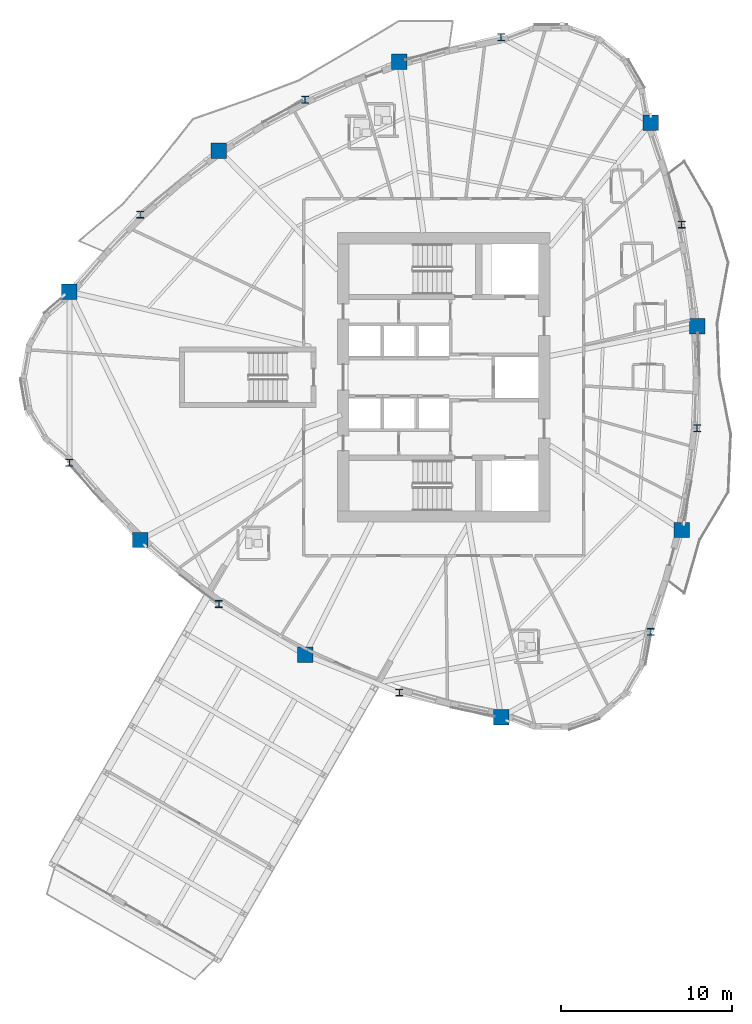
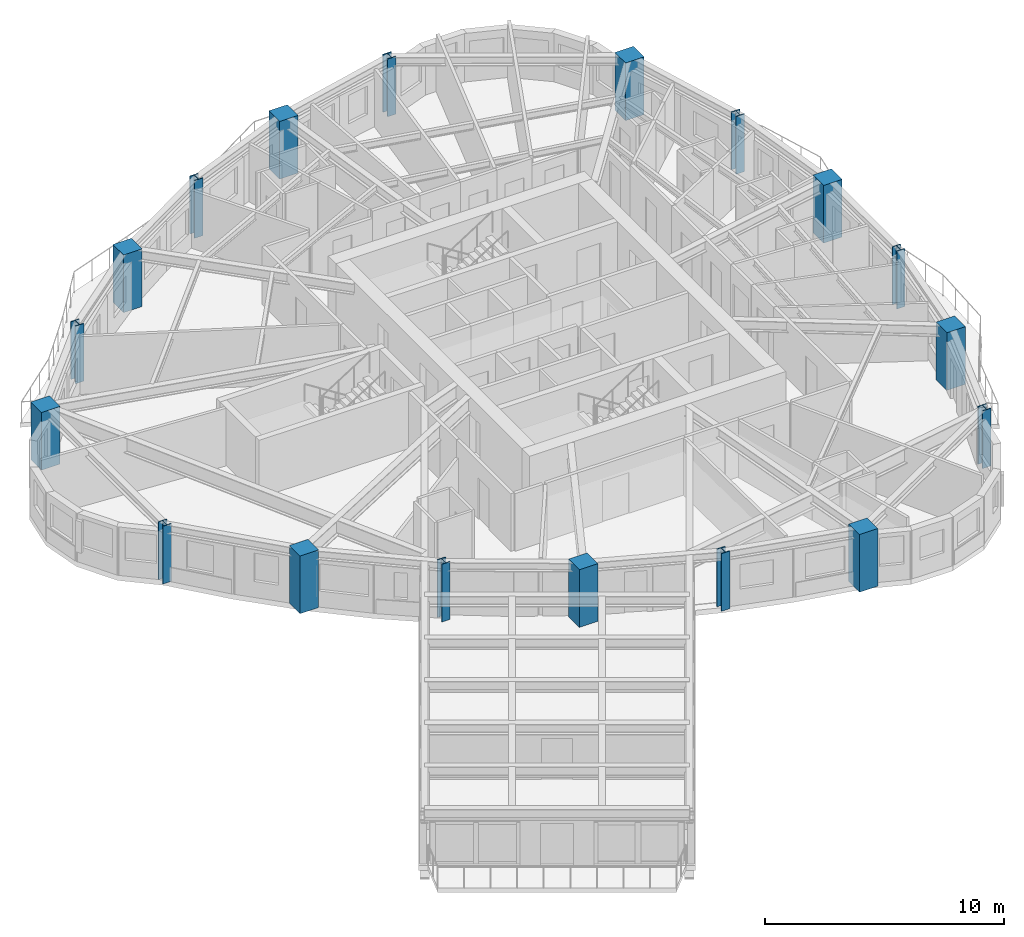
# One storey, part 1 of 17: 18 columns.
"""IFC4 building model written with IfcOpenShell, lengths in metres."""

from ifc_helpers import new_model, si_unit, direction, frame, origin, origin_2d, place, context, subcontext, project, spatial, rectangle, i_section, extrude, source, transform, mapped, material, material_profile, profile_set, type_object, element, save


model = new_model("IFC4")

# Units and contexts
model_context = context("Model", 3, precision=1e-05, world=origin(), true_north=direction((0.0, 1.0)))
body_context = subcontext(model_context, "Body", "Model", "MODEL_VIEW")
ifc_project = project(units=[si_unit("LENGTHUNIT", "METRE"), si_unit("AREAUNIT", "SQUARE_METRE"), si_unit("VOLUMEUNIT", "CUBIC_METRE"), si_unit("PLANEANGLEUNIT", "RADIAN"), si_unit("MASSUNIT", "GRAM", prefix="KILO")], contexts=[model_context])

# Site, building, storey
site_placement = place(None, origin())
site = spatial("IfcSite", under=ifc_project, at=site_placement, CompositionType="ELEMENT")
building_placement = place(site_placement, origin())
building = spatial("IfcBuilding", under=site, at=building_placement, Name="Qafzar Sky-Pleat Residences", CompositionType="ELEMENT")
storey_placement = place(building_placement, frame((0.0, 0.0, 115.199951171875)))
storey = spatial("IfcBuildingStorey", under=building, at=storey_placement, Name="L34", CompositionType="ELEMENT", Elevation=115.199951171875)

# Columns
ifc_material_1 = material(Name="Concrete C60/75", Category="concrete")
ifc_material_profile_1 = material_profile(ifc_material_1, rectangle(XDim=0.89990234375, YDim=0.89990234375, at=origin_2d()), Name="RC 900x900")
ifc_profile_set_1 = profile_set([ifc_material_profile_1], Name="Concrete C60/75")
column_type_1 = type_object("IfcColumnType", Name="COL-RC-900", PredefinedType="COLUMN", material=ifc_profile_set_1)
shared_shape_1 = source(origin(), body_context, "Body", "SweptSolid", [
    extrude(rectangle(XDim=0.89990234375, YDim=0.89990234375, at=origin_2d()), origin(), (0.0, 0.0, 1.0), 2.949951171875),
])
for number, where, z_axis, x_axis, name in (
    (1, (8.47412109375, 30.996337890625, 0.0), (0.0, 0.0, 1.0), (1.0, 0.0, 0.0), "L34 Perimeter Mega Column 1"),
    (2, (12.61572265625, 16.49462890625, 0.0), (0.0, 0.0, 1.0), (1.0, 0.0, 0.0), "L34 Perimeter Mega Column 3"),
    (3, (22.255615234375, 9.777587890625, 0.0), (0.0, 0.0, 1.0), (1.0, 0.0, 0.0), "L34 Perimeter Mega Column 5"),
    (4, (33.704345703125, 6.12841796875, 0.0), (0.0, 0.0, 1.0), (1.0, 0.0, 0.0), "L34 Perimeter Mega Column 7"),
    (5, (44.2587890625, 17.07470703125, 0.0), (0.0, 0.0, 1.0), (1.0, 0.0, 0.0), "L34 Perimeter Mega Column 9"),
    (6, (45.163330078125, 28.97509765625, 0.0), (0.0, 0.0, 1.0), (1.0, 0.0, 0.0), "L34 Perimeter Mega Column 11"),
    (7, (42.449951171875, 40.87548828125, 0.0), (0.0, 0.0, 1.0), (1.0, 0.0, 0.0), "L34 Perimeter Mega Column 13"),
    (8, (27.75390625, 44.4306640625, 0.0), (0.0, 0.0, 1.0), (1.0, 0.0, 0.0), "L34 Perimeter Mega Column 15"),
    (9, (17.20947265625, 39.247314453125, 0.0), (0.0, 0.0, 1.0), (1.0, 0.0, 0.0), "L34 Perimeter Mega Column 17"),
):
    element("IfcColumn", number, at=place(storey_placement, frame(where, z_axis=z_axis, x_axis=x_axis)), inside=storey, type_object=column_type_1, Name=name, PredefinedType="COLUMN", context=body_context, shape_type="MappedRepresentation", body=[
        mapped(shared_shape_1, transform((0.0, 0.0, 0.0), x_axis=(1.0, 0.0, 0.0), y_axis=(0.0, 1.0, 0.0), z_axis=(0.0, 0.0, 1.0), scale=1.0)),
    ])
ifc_material_2 = material(Name="Steel S460", Category="steel")
ifc_material_profile_2 = material_profile(ifc_material_2, i_section(OverallWidth=0.406005859375, OverallDepth=0.416015625, WebThickness=0.027099609375, FlangeThickness=0.0439453125, FilletRadius=0.014892578125, at=origin_2d()), Name="HD 400x382")
ifc_profile_set_2 = profile_set([ifc_material_profile_2], Name="Steel S460")
column_type_2 = type_object("IfcColumnType", Name="COL-STL-HD382", PredefinedType="PILASTER", material=ifc_profile_set_2)
shared_shape_2 = source(origin(), body_context, "Body", "SweptSolid", [
    extrude(i_section(OverallWidth=0.406005859375, OverallDepth=0.416015625, WebThickness=0.027099609375, FlangeThickness=0.0439453125, FilletRadius=0.014892578125, at=origin_2d()), origin(), (0.0, 0.0, 1.0), 2.949951171875),
])
for number, where, z_axis, x_axis, name in (
    (10, (8.47412109375, 21.003662109375, 0.0), (0.0, 0.0, 1.0), (1.0, 0.0, 0.0), "L34 Perimeter Mega Column 2"),
    (11, (17.20947265625, 12.752685546875, 0.0), (0.0, 0.0, 1.0), (1.0, 0.0, 0.0), "L34 Perimeter Mega Column 4"),
    (12, (27.75390625, 7.5693359375, 0.0), (0.0, 0.0, 1.0), (1.0, 0.0, 0.0), "L34 Perimeter Mega Column 6"),
    (13, (42.449951171875, 11.12451171875, 0.0), (0.0, 0.0, 1.0), (1.0, 0.0, 0.0), "L34 Perimeter Mega Column 8"),
    (14, (45.163330078125, 23.02490234375, 0.0), (0.0, 0.0, 1.0), (1.0, 0.0, 0.0), "L34 Perimeter Mega Column 10"),
    (15, (44.2587890625, 34.92529296875, 0.0), (0.0, 0.0, 1.0), (1.0, 0.0, 0.0), "L34 Perimeter Mega Column 12"),
    (16, (33.704345703125, 45.87158203125, 0.0), (0.0, 0.0, 1.0), (1.0, 0.0, 0.0), "L34 Perimeter Mega Column 14"),
    (17, (22.255615234375, 42.222412109375, 0.0), (0.0, 0.0, 1.0), (1.0, 0.0, 0.0), "L34 Perimeter Mega Column 16"),
    (18, (12.61572265625, 35.50537109375, 0.0), (0.0, 0.0, 1.0), (1.0, 0.0, 0.0), "L34 Perimeter Mega Column 18"),
):
    element("IfcColumn", number, at=place(storey_placement, frame(where, z_axis=z_axis, x_axis=x_axis)), inside=storey, type_object=column_type_2, Name=name, PredefinedType="PILASTER", context=body_context, shape_type="MappedRepresentation", body=[
        mapped(shared_shape_2, transform((0.0, 0.0, 0.0), x_axis=(1.0, 0.0, 0.0), y_axis=(0.0, 1.0, 0.0), z_axis=(0.0, 0.0, 1.0), scale=1.0)),
    ])

save(model, "model.ifc")
